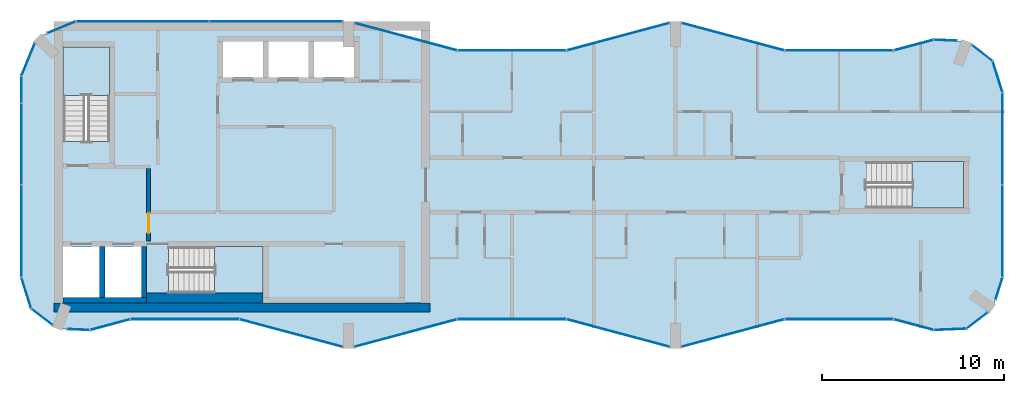
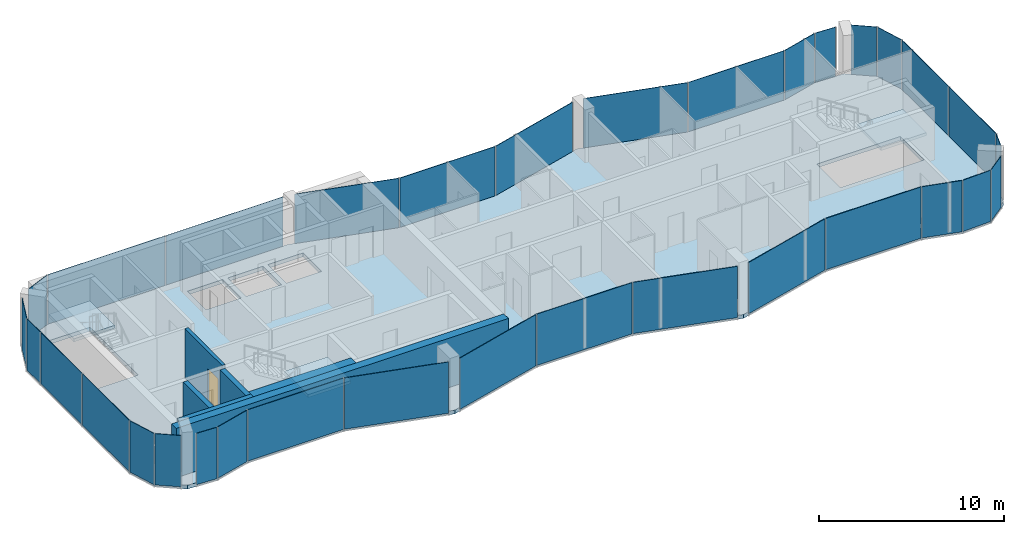
# One storey, part 6 of 10: 33 plates, 6 walls, 4 slabs, 1 door, 1 opening, 32 elements without a shape of their own.
"""IFC4 building model written with IfcOpenShell, lengths in metres."""

from ifc_helpers import new_model, si_unit, direction, frame, frame_2d, origin, origin_2d, place, context, subcontext, project, spatial, polyline, rectangle, outline, extrude, material, layer, layer_set, type_object, element, fill, aggregate, save


model = new_model("IFC4")

# Units and contexts
model_context = context("Model", 3, precision=1e-05, world=origin(), true_north=direction((0.0, 1.0)))
body_context = subcontext(model_context, "Body", "Model", "MODEL_VIEW")
ifc_project = project(units=[si_unit("LENGTHUNIT", "METRE"), si_unit("AREAUNIT", "SQUARE_METRE"), si_unit("VOLUMEUNIT", "CUBIC_METRE"), si_unit("PLANEANGLEUNIT", "RADIAN"), si_unit("MASSUNIT", "GRAM", prefix="KILO")], contexts=[model_context])

# Site, building, storey
site_placement = place(None, origin())
site = spatial("IfcSite", under=ifc_project, at=site_placement, CompositionType="ELEMENT")
building_placement = place(site_placement, origin())
building = spatial("IfcBuilding", under=site, at=building_placement, Name="Plateau Cross Towers", CompositionType="ELEMENT")
storey_placement = place(building_placement, frame((0.0, 0.0, 249.39990234375)))
storey = spatial("IfcBuildingStorey", under=building, at=storey_placement, Name="L65", CompositionType="ELEMENT", Elevation=249.39990234375)

# Curtain wall, plate
ifc_material_1 = material(Name="Dark low-iron glass", Category="glass")
ifc_layer_1 = layer(ifc_material_1, 0.239990234375)
ifc_layer_set_1 = layer_set([ifc_layer_1], Name="Dark low-iron glass")
curtain_wall_type_1 = type_object("IfcCurtainWallType", Name="Curtain wall flush unitised CW-B", PredefinedType="NOTDEFINED", material=ifc_layer_set_1)
curtain_wall_1_placement = place(storey_placement, origin())
curtain_wall_1 = element("IfcCurtainWall", 1, at=curtain_wall_1_placement, inside=storey, type_object=curtain_wall_type_1, Name="ENV/A/L65/A502_10", PredefinedType="NOTDEFINED")
ifc_layer_2 = layer(ifc_material_1, 0.031982421875)
ifc_layer_set_2 = layer_set([ifc_layer_2], Name="Dark low-iron glass")
plate_type_1 = type_object("IfcPlateType", Name="Glass panel 32 flush unitised", PredefinedType="CURTAIN_PANEL", material=ifc_layer_set_2)
plate_1_placement = place(storey_placement, frame((51.125, 1.05078125, -0.1298828125), z_axis=(0.0, 0.0, 1.0), x_axis=(0.999043701491, 0.043722791671, 0.0)))
plate_1 = element("IfcPlate", 2, at=plate_1_placement, type_object=plate_type_1, Name="CW-B panel 1", PredefinedType="CURTAIN_PANEL", context=body_context, shape_type="SweptSolid", body=[
    extrude(rectangle(XDim=1.744140625, YDim=0.031982421875, at=origin_2d()), origin(), (0.0, 0.0, 1.0), 3.3798828125),
])
aggregate(curtain_wall_1, [plate_1])

curtain_wall_2_placement = place(storey_placement, origin())
curtain_wall_2 = element("IfcCurtainWall", 3, at=curtain_wall_2_placement, inside=storey, type_object=curtain_wall_type_1, Name="ENV/A/L65/A520_11", PredefinedType="NOTDEFINED")
plate_2_placement = place(storey_placement, frame((52.60986328125, 1.5380859375, -0.1298828125), z_axis=(0.0, 0.0, 1.0), x_axis=(0.793315514529, 0.608810721331, 0.0)))
plate_2 = element("IfcPlate", 4, at=plate_2_placement, type_object=plate_type_1, Name="CW-B panel 1", PredefinedType="CURTAIN_PANEL", context=body_context, shape_type="SweptSolid", body=[
    extrude(rectangle(XDim=1.41162109375, YDim=0.031982421875, at=origin_2d()), origin(), (0.0, 0.0, 1.0), 3.3798828125),
])
aggregate(curtain_wall_2, [plate_2])

curtain_wall_3_placement = place(storey_placement, origin())
curtain_wall_3 = element("IfcCurtainWall", 5, at=curtain_wall_3_placement, inside=storey, type_object=curtain_wall_type_1, Name="ENV/A/L65/A536_27", PredefinedType="NOTDEFINED")
plate_3_placement = place(storey_placement, frame((53.805419921875, 3.292236328125, -0.1298828125), z_axis=(0.0, 0.0, 1.0), x_axis=(0.300686174994, 0.95372313811, 0.0)))
plate_3 = element("IfcPlate", 6, at=plate_3_placement, type_object=plate_type_1, Name="CW-B panel 1", PredefinedType="CURTAIN_PANEL", context=body_context, shape_type="SweptSolid", body=[
    extrude(rectangle(XDim=1.233642578125, YDim=0.031982421875, at=origin_2d()), origin(), (0.0, 0.0, 1.0), 3.3798828125),
])
aggregate(curtain_wall_3, [plate_3])

# Curtain wall, plates
curtain_wall_4_placement = place(storey_placement, origin())
curtain_wall_4 = element("IfcCurtainWall", 7, at=curtain_wall_4_placement, inside=storey, type_object=curtain_wall_type_1, Name="ENV/A/L65/A540_39", PredefinedType="NOTDEFINED")
plate_4_placement = place(storey_placement, frame((54.0, 6.45458984375, -0.1298828125), z_axis=(0.0, 0.0, 1.0), x_axis=(0.0, 1.0, 0.0)))
plate_4 = element("IfcPlate", 8, at=plate_4_placement, type_object=plate_type_1, Name="CW-B panel 1", PredefinedType="CURTAIN_PANEL", context=body_context, shape_type="SweptSolid", body=[
    extrude(rectangle(XDim=5.03076171875, YDim=0.031982421875, at=origin_2d()), origin(), (0.0, 0.0, 1.0), 3.3798828125),
])
plate_5_placement = place(storey_placement, frame((54.0, 11.54541015625, -0.1298828125), z_axis=(0.0, 0.0, 1.0), x_axis=(0.0, 1.0, 0.0)))
plate_5 = element("IfcPlate", 9, at=plate_5_placement, type_object=plate_type_1, Name="CW-B panel 2", PredefinedType="CURTAIN_PANEL", context=body_context, shape_type="SweptSolid", body=[
    extrude(rectangle(XDim=5.03076171875, YDim=0.031982421875, at=origin_2d()), origin(), (0.0, 0.0, 1.0), 3.3798828125),
])
aggregate(curtain_wall_4, [plate_4, plate_5])

# Curtain wall, plate
curtain_wall_5_placement = place(storey_placement, origin())
curtain_wall_5 = element("IfcCurtainWall", 10, at=curtain_wall_5_placement, inside=storey, type_object=curtain_wall_type_1, Name="ENV/A/L65/A540_141", PredefinedType="NOTDEFINED")
plate_6_placement = place(storey_placement, frame((53.728759765625, 14.951171875, -0.1298828125), z_axis=(0.0, 0.0, 1.0), x_axis=(-0.300686174994, 0.95372313811, 0.0)))
plate_6 = element("IfcPlate", 11, at=plate_6_placement, type_object=plate_type_1, Name="CW-B panel 1", PredefinedType="CURTAIN_PANEL", context=body_context, shape_type="SweptSolid", body=[
    extrude(rectangle(XDim=1.744140625, YDim=0.031982421875, at=origin_2d()), origin(), (0.0, 0.0, 1.0), 3.3798828125),
])
aggregate(curtain_wall_5, [plate_6])

curtain_wall_6_placement = place(storey_placement, origin())
curtain_wall_6 = element("IfcCurtainWall", 12, at=curtain_wall_6_placement, inside=storey, type_object=curtain_wall_type_1, Name="ENV/A/L65/A535_158", PredefinedType="NOTDEFINED")
plate_7_placement = place(storey_placement, frame((52.873779296875, 16.25927734375, -0.1298828125), z_axis=(0.0, 0.0, 1.0), x_axis=(-0.793315514529, 0.608810721331, 0.0)))
plate_7 = element("IfcPlate", 13, at=plate_7_placement, type_object=plate_type_1, Name="CW-B panel 1", PredefinedType="CURTAIN_PANEL", context=body_context, shape_type="SweptSolid", body=[
    extrude(rectangle(XDim=1.41162109375, YDim=0.031982421875, at=origin_2d()), origin(), (0.0, 0.0, 1.0), 3.3798828125),
])
aggregate(curtain_wall_6, [plate_7])

curtain_wall_7_placement = place(storey_placement, origin())
curtain_wall_7 = element("IfcCurtainWall", 14, at=curtain_wall_7_placement, inside=storey, type_object=curtain_wall_type_1, Name="ENV/A/L65/A515_169", PredefinedType="NOTDEFINED")
plate_8_placement = place(storey_placement, frame((50.8701171875, 16.96044921875, -0.1298828125), z_axis=(0.0, 0.0, 1.0), x_axis=(-0.999043701491, 0.043722791671, 0.0)))
plate_8 = element("IfcPlate", 15, at=plate_8_placement, type_object=plate_type_1, Name="CW-B panel 1", PredefinedType="CURTAIN_PANEL", context=body_context, shape_type="SweptSolid", body=[
    extrude(rectangle(XDim=1.233642578125, YDim=0.031982421875, at=origin_2d()), origin(), (0.0, 0.0, 1.0), 3.3798828125),
])
aggregate(curtain_wall_7, [plate_8])

# Curtain wall, plates
curtain_wall_8_placement = place(storey_placement, origin())
curtain_wall_8 = element("IfcCurtainWall", 16, at=curtain_wall_8_placement, inside=storey, type_object=curtain_wall_type_1, Name="ENV/A/L65/A177_180", PredefinedType="NOTDEFINED")
plate_9_placement = place(storey_placement, frame((14.02490234375, 18.0, -0.1298828125), z_axis=(0.0, 0.0, 1.0), x_axis=(-1.0, 0.0, 0.0)))
plate_9 = element("IfcPlate", 17, at=plate_9_placement, type_object=plate_type_1, Name="CW-B panel 1", PredefinedType="CURTAIN_PANEL", context=body_context, shape_type="SweptSolid", body=[
    extrude(rectangle(XDim=7.2900390625, YDim=0.031982421875, at=origin_2d()), origin(), (0.0, 0.0, 1.0), 3.3798828125),
])
plate_10_placement = place(storey_placement, frame((6.675048828125, 18.0, -0.1298828125), z_axis=(0.0, 0.0, 1.0), x_axis=(-1.0, 0.0, 0.0)))
plate_10 = element("IfcPlate", 18, at=plate_10_placement, type_object=plate_type_1, Name="CW-B panel 2", PredefinedType="CURTAIN_PANEL", context=body_context, shape_type="SweptSolid", body=[
    extrude(rectangle(XDim=7.2900390625, YDim=0.031982421875, at=origin_2d()), origin(), (0.0, 0.0, 1.0), 3.3798828125),
])
aggregate(curtain_wall_8, [plate_9, plate_10])

# Curtain wall, plate
curtain_wall_9_placement = place(storey_placement, origin())
curtain_wall_9 = element("IfcCurtainWall", 19, at=curtain_wall_9_placement, inside=storey, type_object=curtain_wall_type_1, Name="ENV/A/L65/A30_180", PredefinedType="NOTDEFINED")
plate_11_placement = place(storey_placement, frame((2.20166015625, 17.66943359375, -0.1298828125), z_axis=(0.0, 0.0, 1.0), x_axis=(-0.923879457699, -0.382683612978, 0.0)))
plate_11 = element("IfcPlate", 20, at=plate_11_placement, type_object=plate_type_1, Name="CW-B panel 1", PredefinedType="CURTAIN_PANEL", context=body_context, shape_type="SweptSolid", body=[
    extrude(rectangle(XDim=1.668212890625, YDim=0.031982421875, at=origin_2d()), origin(), (0.0, 0.0, 1.0), 3.3798828125),
])
aggregate(curtain_wall_9, [plate_11])

curtain_wall_10_placement = place(storey_placement, origin())
curtain_wall_10 = element("IfcCurtainWall", 21, at=curtain_wall_10_placement, inside=storey, type_object=curtain_wall_type_1, Name="ENV/A/L65/A7_168", PredefinedType="NOTDEFINED")
plate_12_placement = place(storey_placement, frame((0.3740234375, 15.90283203125, -0.1298828125), z_axis=(0.0, 0.0, 1.0), x_axis=(-0.382683612978, -0.923879457699, 0.0)))
plate_12 = element("IfcPlate", 22, at=plate_12_placement, type_object=plate_type_1, Name="CW-B panel 1", PredefinedType="CURTAIN_PANEL", context=body_context, shape_type="SweptSolid", body=[
    extrude(rectangle(XDim=1.894775390625, YDim=0.031982421875, at=origin_2d()), origin(), (0.0, 0.0, 1.0), 3.3798828125),
])
aggregate(curtain_wall_10, [plate_12])

# Curtain wall, plates
curtain_wall_11_placement = place(storey_placement, origin())
curtain_wall_11 = element("IfcCurtainWall", 23, at=curtain_wall_11_placement, inside=storey, type_object=curtain_wall_type_1, Name="ENV/A/L65/A0_150", PredefinedType="NOTDEFINED")
plate_13_placement = place(storey_placement, frame((0.0, 14.25, -0.1298828125), z_axis=(0.0, 0.0, 1.0), x_axis=(0.0, -1.0, 0.0)))
plate_13 = element("IfcPlate", 24, at=plate_13_placement, type_object=plate_type_1, Name="CW-B panel 1", PredefinedType="CURTAIN_PANEL", context=body_context, shape_type="SweptSolid", body=[
    extrude(rectangle(XDim=1.43994140625, YDim=0.031982421875, at=origin_2d()), origin(), (0.0, 0.0, 1.0), 3.3798828125),
])
plate_14_placement = place(storey_placement, frame((0.0, 11.25, -0.1298828125), z_axis=(0.0, 0.0, 1.0), x_axis=(0.0, -1.0, 0.0)))
plate_14 = element("IfcPlate", 25, at=plate_14_placement, type_object=plate_type_1, Name="CW-B panel 2", PredefinedType="CURTAIN_PANEL", context=body_context, shape_type="SweptSolid", body=[
    extrude(rectangle(XDim=4.43994140625, YDim=0.031982421875, at=origin_2d()), origin(), (0.0, 0.0, 1.0), 3.3798828125),
])
plate_15_placement = place(storey_placement, frame((0.0, 6.45458984375, -0.1298828125), z_axis=(0.0, 0.0, 1.0), x_axis=(0.0, -1.0, 0.0)))
plate_15 = element("IfcPlate", 26, at=plate_15_placement, type_object=plate_type_1, Name="CW-B panel 3", PredefinedType="CURTAIN_PANEL", context=body_context, shape_type="SweptSolid", body=[
    extrude(rectangle(XDim=5.03076171875, YDim=0.031982421875, at=origin_2d()), origin(), (0.0, 0.0, 1.0), 3.3798828125),
])
aggregate(curtain_wall_11, [plate_13, plate_14, plate_15])

# Curtain wall, plate
curtain_wall_12_placement = place(storey_placement, origin())
curtain_wall_12 = element("IfcCurtainWall", 27, at=curtain_wall_12_placement, inside=storey, type_object=curtain_wall_type_1, Name="ENV/A/L65/A0_39", PredefinedType="NOTDEFINED")
plate_16_placement = place(storey_placement, frame((0.271240234375, 3.048828125, -0.1298828125), z_axis=(0.0, 0.0, 1.0), x_axis=(0.300686174994, -0.95372313811, 0.0)))
plate_16 = element("IfcPlate", 28, at=plate_16_placement, type_object=plate_type_1, Name="CW-B panel 1", PredefinedType="CURTAIN_PANEL", context=body_context, shape_type="SweptSolid", body=[
    extrude(rectangle(XDim=1.744140625, YDim=0.031982421875, at=origin_2d()), origin(), (0.0, 0.0, 1.0), 3.3798828125),
])
aggregate(curtain_wall_12, [plate_16])

curtain_wall_13_placement = place(storey_placement, origin())
curtain_wall_13 = element("IfcCurtainWall", 29, at=curtain_wall_13_placement, inside=storey, type_object=curtain_wall_type_1, Name="ENV/A/L65/A5_22", PredefinedType="NOTDEFINED")
plate_17_placement = place(storey_placement, frame((1.126220703125, 1.74072265625, -0.1298828125), z_axis=(0.0, 0.0, 1.0), x_axis=(0.793315514529, -0.608810721331, 0.0)))
plate_17 = element("IfcPlate", 30, at=plate_17_placement, type_object=plate_type_1, Name="CW-B panel 1", PredefinedType="CURTAIN_PANEL", context=body_context, shape_type="SweptSolid", body=[
    extrude(rectangle(XDim=1.41162109375, YDim=0.031982421875, at=origin_2d()), origin(), (0.0, 0.0, 1.0), 3.3798828125),
])
aggregate(curtain_wall_13, [plate_17])

curtain_wall_14_placement = place(storey_placement, origin())
curtain_wall_14 = element("IfcCurtainWall", 31, at=curtain_wall_14_placement, inside=storey, type_object=curtain_wall_type_1, Name="ENV/A/L65/A25_11", PredefinedType="NOTDEFINED")
plate_18_placement = place(storey_placement, frame((3.1298828125, 1.03955078125, -0.1298828125), z_axis=(0.0, 0.0, 1.0), x_axis=(0.999043701491, -0.043722791671, 0.0)))
plate_18 = element("IfcPlate", 32, at=plate_18_placement, type_object=plate_type_1, Name="CW-B panel 1", PredefinedType="CURTAIN_PANEL", context=body_context, shape_type="SweptSolid", body=[
    extrude(rectangle(XDim=1.233642578125, YDim=0.031982421875, at=origin_2d()), origin(), (0.0, 0.0, 1.0), 3.3798828125),
])
aggregate(curtain_wall_14, [plate_18])

ifc_layer_3 = layer(ifc_material_1, 0.260009765625)
ifc_layer_set_3 = layer_set([ifc_layer_3], Name="Dark low-iron glass")
curtain_wall_type_2 = type_object("IfcCurtainWallType", Name="Curtain wall fluted unitised CW-A", PredefinedType="NOTDEFINED", material=ifc_layer_set_3)
curtain_wall_15_placement = place(storey_placement, origin())
curtain_wall_15 = element("IfcCurtainWall", 33, at=curtain_wall_15_placement, inside=storey, type_object=curtain_wall_type_2, Name="ENV/A/L65/A38_10", PredefinedType="NOTDEFINED")
ifc_layer_4 = layer(ifc_material_1, 0.035888671875)
ifc_layer_set_4 = layer_set([ifc_layer_4], Name="Dark low-iron glass")
plate_type_2 = type_object("IfcPlateType", Name="Glass panel 36 fluted unitised", PredefinedType="CURTAIN_PANEL", material=ifc_layer_set_4)
plate_19_placement = place(storey_placement, frame((4.887939453125, 1.30908203125, -0.1298828125), z_axis=(0.0, 0.0, 1.0), x_axis=(0.965957962328, 0.258699081978, 0.0)))
plate_19 = element("IfcPlate", 34, at=plate_19_placement, type_object=plate_type_2, Name="CW-A panel 1", PredefinedType="CURTAIN_PANEL", context=body_context, shape_type="SweptSolid", body=[
    extrude(rectangle(XDim=2.2421875, YDim=0.035888671875, at=origin_2d()), origin(), (0.0, 0.0, 1.0), 3.3798828125),
])
aggregate(curtain_wall_15, [plate_19])

curtain_wall_16_placement = place(storey_placement, origin())
curtain_wall_16 = element("IfcCurtainWall", 35, at=curtain_wall_16_placement, inside=storey, type_object=curtain_wall_type_2, Name="ENV/A/L65/A60_16", PredefinedType="NOTDEFINED")
plate_20_placement = place(storey_placement, frame((9.0, 1.60693359375, -0.1298828125), z_axis=(0.0, 0.0, 1.0), x_axis=(1.0, 0.0, 0.0)))
plate_20 = element("IfcPlate", 36, at=plate_20_placement, type_object=plate_type_2, Name="CW-A panel 1", PredefinedType="CURTAIN_PANEL", context=body_context, shape_type="SweptSolid", body=[
    extrude(rectangle(XDim=5.93994140625, YDim=0.035888671875, at=origin_2d()), origin(), (0.0, 0.0, 1.0), 3.3798828125),
])
aggregate(curtain_wall_16, [plate_20])

curtain_wall_17_placement = place(storey_placement, origin())
curtain_wall_17 = element("IfcCurtainWall", 37, at=curtain_wall_17_placement, inside=storey, type_object=curtain_wall_type_2, Name="ENV/A/L65/A120_16", PredefinedType="NOTDEFINED")
plate_21_placement = place(storey_placement, frame((14.841064453125, 0.845947265625, -0.1298828125), z_axis=(0.0, 0.0, 1.0), x_axis=(0.965957983404, -0.258699003279, 0.0)))
plate_21 = element("IfcPlate", 38, at=plate_21_placement, type_object=plate_type_2, Name="CW-A panel 1", PredefinedType="CURTAIN_PANEL", context=body_context, shape_type="SweptSolid", body=[
    extrude(rectangle(XDim=5.822265625, YDim=0.035888671875, at=origin_2d()), origin(), (0.0, 0.0, 1.0), 3.3798828125),
])
aggregate(curtain_wall_17, [plate_21])

curtain_wall_18_placement = place(storey_placement, origin())
curtain_wall_18 = element("IfcCurtainWall", 39, at=curtain_wall_18_placement, inside=storey, type_object=curtain_wall_type_2, Name="ENV/A/L65/A183_1", PredefinedType="NOTDEFINED")
plate_22_placement = place(storey_placement, frame((21.158935546875, 0.845947265625, -0.1298828125), z_axis=(0.0, 0.0, 1.0), x_axis=(0.965957983404, 0.258699003279, 0.0)))
plate_22 = element("IfcPlate", 40, at=plate_22_placement, type_object=plate_type_2, Name="CW-A panel 1", PredefinedType="CURTAIN_PANEL", context=body_context, shape_type="SweptSolid", body=[
    extrude(rectangle(XDim=5.822265625, YDim=0.035888671875, at=origin_2d()), origin(), (0.0, 0.0, 1.0), 3.3798828125),
])
aggregate(curtain_wall_18, [plate_22])

curtain_wall_19_placement = place(storey_placement, origin())
curtain_wall_19 = element("IfcCurtainWall", 41, at=curtain_wall_19_placement, inside=storey, type_object=curtain_wall_type_2, Name="ENV/A/L65/A240_16", PredefinedType="NOTDEFINED")
plate_23_placement = place(storey_placement, frame((27.0, 1.60693359375, -0.1298828125), z_axis=(0.0, 0.0, 1.0), x_axis=(1.0, 0.0, 0.0)))
plate_23 = element("IfcPlate", 42, at=plate_23_placement, type_object=plate_type_2, Name="CW-A panel 1", PredefinedType="CURTAIN_PANEL", context=body_context, shape_type="SweptSolid", body=[
    extrude(rectangle(XDim=5.93994140625, YDim=0.035888671875, at=origin_2d()), origin(), (0.0, 0.0, 1.0), 3.3798828125),
])
aggregate(curtain_wall_19, [plate_23])

curtain_wall_20_placement = place(storey_placement, origin())
curtain_wall_20 = element("IfcCurtainWall", 43, at=curtain_wall_20_placement, inside=storey, type_object=curtain_wall_type_2, Name="ENV/A/L65/A300_16", PredefinedType="NOTDEFINED")
plate_24_placement = place(storey_placement, frame((32.841064453125, 0.845947265625, -0.1298828125), z_axis=(0.0, 0.0, 1.0), x_axis=(0.965957983404, -0.258699003279, 0.0)))
plate_24 = element("IfcPlate", 44, at=plate_24_placement, type_object=plate_type_2, Name="CW-A panel 1", PredefinedType="CURTAIN_PANEL", context=body_context, shape_type="SweptSolid", body=[
    extrude(rectangle(XDim=5.822265625, YDim=0.035888671875, at=origin_2d()), origin(), (0.0, 0.0, 1.0), 3.3798828125),
])
aggregate(curtain_wall_20, [plate_24])

curtain_wall_21_placement = place(storey_placement, origin())
curtain_wall_21 = element("IfcCurtainWall", 45, at=curtain_wall_21_placement, inside=storey, type_object=curtain_wall_type_2, Name="ENV/A/L65/A363_1", PredefinedType="NOTDEFINED")
plate_25_placement = place(storey_placement, frame((39.158935546875, 0.845947265625, -0.1298828125), z_axis=(0.0, 0.0, 1.0), x_axis=(0.965957983404, 0.258699003279, 0.0)))
plate_25 = element("IfcPlate", 46, at=plate_25_placement, type_object=plate_type_2, Name="CW-A panel 1", PredefinedType="CURTAIN_PANEL", context=body_context, shape_type="SweptSolid", body=[
    extrude(rectangle(XDim=5.822265625, YDim=0.035888671875, at=origin_2d()), origin(), (0.0, 0.0, 1.0), 3.3798828125),
])
aggregate(curtain_wall_21, [plate_25])

curtain_wall_22_placement = place(storey_placement, origin())
curtain_wall_22 = element("IfcCurtainWall", 47, at=curtain_wall_22_placement, inside=storey, type_object=curtain_wall_type_2, Name="ENV/A/L65/A420_16", PredefinedType="NOTDEFINED")
plate_26_placement = place(storey_placement, frame((45.0, 1.60693359375, -0.1298828125), z_axis=(0.0, 0.0, 1.0), x_axis=(1.0, 0.0, 0.0)))
plate_26 = element("IfcPlate", 48, at=plate_26_placement, type_object=plate_type_2, Name="CW-A panel 1", PredefinedType="CURTAIN_PANEL", context=body_context, shape_type="SweptSolid", body=[
    extrude(rectangle(XDim=5.93994140625, YDim=0.035888671875, at=origin_2d()), origin(), (0.0, 0.0, 1.0), 3.3798828125),
])
aggregate(curtain_wall_22, [plate_26])

curtain_wall_23_placement = place(storey_placement, origin())
curtain_wall_23 = element("IfcCurtainWall", 49, at=curtain_wall_23_placement, inside=storey, type_object=curtain_wall_type_2, Name="ENV/A/L65/A480_16", PredefinedType="NOTDEFINED")
plate_27_placement = place(storey_placement, frame((49.112060546875, 1.30908203125, -0.1298828125), z_axis=(0.0, 0.0, 1.0), x_axis=(0.965957962328, -0.258699081978, 0.0)))
plate_27 = element("IfcPlate", 50, at=plate_27_placement, type_object=plate_type_2, Name="CW-A panel 1", PredefinedType="CURTAIN_PANEL", context=body_context, shape_type="SweptSolid", body=[
    extrude(rectangle(XDim=2.2421875, YDim=0.035888671875, at=origin_2d()), origin(), (0.0, 0.0, 1.0), 3.3798828125),
])
aggregate(curtain_wall_23, [plate_27])

curtain_wall_24_placement = place(storey_placement, origin())
curtain_wall_24 = element("IfcCurtainWall", 51, at=curtain_wall_24_placement, inside=storey, type_object=curtain_wall_type_2, Name="ENV/A/L65/A502_170", PredefinedType="NOTDEFINED")
plate_28_placement = place(storey_placement, frame((49.112060546875, 16.69091796875, -0.1298828125), z_axis=(0.0, 0.0, 1.0), x_axis=(-0.965957962328, -0.258699081978, 0.0)))
plate_28 = element("IfcPlate", 52, at=plate_28_placement, type_object=plate_type_2, Name="CW-A panel 1", PredefinedType="CURTAIN_PANEL", context=body_context, shape_type="SweptSolid", body=[
    extrude(rectangle(XDim=2.2421875, YDim=0.035888671875, at=origin_2d()), origin(), (0.0, 0.0, 1.0), 3.3798828125),
])
aggregate(curtain_wall_24, [plate_28])

curtain_wall_25_placement = place(storey_placement, origin())
curtain_wall_25 = element("IfcCurtainWall", 53, at=curtain_wall_25_placement, inside=storey, type_object=curtain_wall_type_2, Name="ENV/A/L65/A480_164", PredefinedType="NOTDEFINED")
plate_29_placement = place(storey_placement, frame((45.0, 16.39306640625, -0.1298828125), z_axis=(0.0, 0.0, 1.0), x_axis=(-1.0, 0.0, 0.0)))
plate_29 = element("IfcPlate", 54, at=plate_29_placement, type_object=plate_type_2, Name="CW-A panel 1", PredefinedType="CURTAIN_PANEL", context=body_context, shape_type="SweptSolid", body=[
    extrude(rectangle(XDim=5.93994140625, YDim=0.035888671875, at=origin_2d()), origin(), (0.0, 0.0, 1.0), 3.3798828125),
])
aggregate(curtain_wall_25, [plate_29])

curtain_wall_26_placement = place(storey_placement, origin())
curtain_wall_26 = element("IfcCurtainWall", 55, at=curtain_wall_26_placement, inside=storey, type_object=curtain_wall_type_2, Name="ENV/A/L65/A420_164", PredefinedType="NOTDEFINED")
plate_30_placement = place(storey_placement, frame((39.158935546875, 17.154052734375, -0.1298828125), z_axis=(0.0, 0.0, 1.0), x_axis=(-0.965957983404, 0.258699003279, 0.0)))
plate_30 = element("IfcPlate", 56, at=plate_30_placement, type_object=plate_type_2, Name="CW-A panel 1", PredefinedType="CURTAIN_PANEL", context=body_context, shape_type="SweptSolid", body=[
    extrude(rectangle(XDim=5.822265625, YDim=0.035888671875, at=origin_2d()), origin(), (0.0, 0.0, 1.0), 3.3798828125),
])
aggregate(curtain_wall_26, [plate_30])

curtain_wall_27_placement = place(storey_placement, origin())
curtain_wall_27 = element("IfcCurtainWall", 57, at=curtain_wall_27_placement, inside=storey, type_object=curtain_wall_type_2, Name="ENV/A/L65/A357_179", PredefinedType="NOTDEFINED")
plate_31_placement = place(storey_placement, frame((32.841064453125, 17.154052734375, -0.1298828125), z_axis=(0.0, 0.0, 1.0), x_axis=(-0.965957983404, -0.258699003279, 0.0)))
plate_31 = element("IfcPlate", 58, at=plate_31_placement, type_object=plate_type_2, Name="CW-A panel 1", PredefinedType="CURTAIN_PANEL", context=body_context, shape_type="SweptSolid", body=[
    extrude(rectangle(XDim=5.822265625, YDim=0.035888671875, at=origin_2d()), origin(), (0.0, 0.0, 1.0), 3.3798828125),
])
aggregate(curtain_wall_27, [plate_31])

curtain_wall_28_placement = place(storey_placement, origin())
curtain_wall_28 = element("IfcCurtainWall", 59, at=curtain_wall_28_placement, inside=storey, type_object=curtain_wall_type_2, Name="ENV/A/L65/A300_164", PredefinedType="NOTDEFINED")
plate_32_placement = place(storey_placement, frame((27.0, 16.39306640625, -0.1298828125), z_axis=(0.0, 0.0, 1.0), x_axis=(-1.0, 0.0, 0.0)))
plate_32 = element("IfcPlate", 60, at=plate_32_placement, type_object=plate_type_2, Name="CW-A panel 1", PredefinedType="CURTAIN_PANEL", context=body_context, shape_type="SweptSolid", body=[
    extrude(rectangle(XDim=5.93994140625, YDim=0.035888671875, at=origin_2d()), origin(), (0.0, 0.0, 1.0), 3.3798828125),
])
aggregate(curtain_wall_28, [plate_32])

curtain_wall_29_placement = place(storey_placement, origin())
curtain_wall_29 = element("IfcCurtainWall", 61, at=curtain_wall_29_placement, inside=storey, type_object=curtain_wall_type_2, Name="ENV/A/L65/A240_164", PredefinedType="NOTDEFINED")
plate_33_placement = place(storey_placement, frame((21.158935546875, 17.154052734375, -0.1298828125), z_axis=(0.0, 0.0, 1.0), x_axis=(-0.965957983404, 0.258699003279, 0.0)))
plate_33 = element("IfcPlate", 62, at=plate_33_placement, type_object=plate_type_2, Name="CW-A panel 1", PredefinedType="CURTAIN_PANEL", context=body_context, shape_type="SweptSolid", body=[
    extrude(rectangle(XDim=5.822265625, YDim=0.035888671875, at=origin_2d()), origin(), (0.0, 0.0, 1.0), 3.3798828125),
])
aggregate(curtain_wall_29, [plate_33])

# Slab
ifc_material_2 = material(Name="Concrete C40/50", Category="concrete")
ifc_layer_5 = layer(ifc_material_2, 0.25)
ifc_layer_set_5 = layer_set([ifc_layer_5], Name="Concrete C40/50")
slab_type_1 = type_object("IfcSlabType", Name="Post-tensioned flat plate slab 250", PredefinedType="FLOOR", material=ifc_layer_set_5)
slab_1_placement = place(storey_placement, frame((0.0, 0.0, -0.25)))
element("IfcSlab", 63, at=slab_1_placement, inside=storey, type_object=slab_type_1, Name="SL-A-L65", PredefinedType="FLOOR", context=body_context, shape_type="SweptSolid", body=[
    extrude(outline(polyline([(1.9736328125, 1.090087890625), (0.54248046875, 2.1884765625), (0.0, 3.9091796875), (0.0, 15.0), (0.878662109375, 17.121337890625), (3.0, 18.0), (18.0, 18.0), (24.0, 16.39306640625), (30.0, 16.39306640625), (36.0, 18.0), (42.0, 16.39306640625), (48.0, 16.39306640625), (50.223876953125, 16.98876953125), (52.0263671875, 16.909912109375), (53.45751953125, 15.8115234375), (54.0, 14.0908203125), (54.0, 3.9091796875), (53.45751953125, 2.1884765625), (52.0263671875, 1.090087890625), (50.223876953125, 1.01123046875), (48.0, 1.60693359375), (42.0, 1.60693359375), (36.0, 0.0), (30.0, 1.60693359375), (24.0, 1.60693359375), (18.0, 0.0), (12.0, 1.60693359375), (6.0, 1.60693359375), (3.776123046875, 1.01123046875), (1.9736328125, 1.090087890625)]), holes=[polyline([(4.300048828125, 5.60009765625), (2.300048828125, 5.60009765625), (2.300048828125, 2.800048828125), (4.300048828125, 2.800048828125), (4.300048828125, 5.60009765625)]), polyline([(6.60009765625, 5.60009765625), (4.60009765625, 5.60009765625), (4.60009765625, 2.800048828125), (6.60009765625, 2.800048828125), (6.60009765625, 5.60009765625)]), polyline([(13.300048828125, 5.60009765625), (8.10009765625, 5.60009765625), (8.10009765625, 3.050048828125), (13.300048828125, 3.050048828125), (13.300048828125, 5.60009765625)]), polyline([(51.699951171875, 10.27490234375), (46.5, 10.27490234375), (46.5, 7.72509765625), (51.699951171875, 7.72509765625), (51.699951171875, 10.27490234375)]), polyline([(2.300048828125, 16.60009765625), (2.300048828125, 11.39990234375), (4.85009765625, 11.39990234375), (4.85009765625, 16.60009765625), (2.300048828125, 16.60009765625)]), polyline([(13.300048828125, 16.89990234375), (11.10009765625, 16.89990234375), (11.10009765625, 14.89990234375), (13.300048828125, 14.89990234375), (13.300048828125, 16.89990234375)]), polyline([(15.800048828125, 16.89990234375), (13.60009765625, 16.89990234375), (13.60009765625, 14.89990234375), (15.800048828125, 14.89990234375), (15.800048828125, 16.89990234375)]), polyline([(18.300048828125, 16.89990234375), (16.10009765625, 16.89990234375), (16.10009765625, 14.89990234375), (18.300048828125, 14.89990234375), (18.300048828125, 16.89990234375)])]), origin(), (0.0, 0.0, 1.0), 0.25),
])

# Stair, slab
stair_type = type_object("IfcStairType", Name="ST-TWR", PredefinedType="HALF_TURN_STAIR", material=ifc_material_2)
stair_1_placement = place(storey_placement, origin())
stair_1 = element("IfcStair", 64, at=stair_1_placement, inside=storey, type_object=stair_type, Name="L65 Protected Exit Stair ST-1", PredefinedType="HALF_TURN_STAIR")
ifc_layer_6 = layer(ifc_material_2, 0.199951171875)
ifc_layer_set_6 = layer_set([ifc_layer_6], Name="Concrete C40/50")
slab_type_2 = type_object("IfcSlabType", Name="SL-LANDING", PredefinedType="LANDING", material=ifc_layer_set_6)
slab_2_placement = place(storey_placement, frame((0.0, 0.0, 1.550048828125)))
slab_2 = element("IfcSlab", 65, at=slab_2_placement, type_object=slab_type_2, Name="ST-1 landing 1", PredefinedType="LANDING", context=body_context, shape_type="SweptSolid", body=[
    extrude(outline(polyline([(4.85009765625, 13.919921875), (4.85009765625, 16.60009765625), (2.300048828125, 16.60009765625), (2.300048828125, 13.919921875), (4.85009765625, 13.919921875)])), origin(), (0.0, 0.0, 1.0), 0.199951171875),
])
aggregate(stair_1, [slab_2])

stair_2_placement = place(storey_placement, origin())
stair_2 = element("IfcStair", 66, at=stair_2_placement, inside=storey, type_object=stair_type, Name="L65 Protected Exit Stair ST-2", PredefinedType="HALF_TURN_STAIR")
slab_3_placement = place(storey_placement, frame((0.0, 0.0, 1.550048828125)))
slab_3 = element("IfcSlab", 67, at=slab_3_placement, type_object=slab_type_2, Name="ST-2 landing 1", PredefinedType="LANDING", context=body_context, shape_type="SweptSolid", body=[
    extrude(outline(polyline([(10.6201171875, 3.050048828125), (13.300048828125, 3.050048828125), (13.300048828125, 5.60009765625), (10.6201171875, 5.60009765625), (10.6201171875, 3.050048828125)])), origin(), (0.0, 0.0, 1.0), 0.199951171875),
])
aggregate(stair_2, [slab_3])

stair_3_placement = place(storey_placement, origin())
stair_3 = element("IfcStair", 68, at=stair_3_placement, inside=storey, type_object=stair_type, Name="L65 Protected Exit Stair E", PredefinedType="HALF_TURN_STAIR")
slab_4_placement = place(storey_placement, frame((0.0, 0.0, 1.550048828125)))
slab_4 = element("IfcSlab", 69, at=slab_4_placement, type_object=slab_type_2, Name="ES-E landing 1", PredefinedType="LANDING", context=body_context, shape_type="SweptSolid", body=[
    extrude(outline(polyline([(49.02001953125, 7.72509765625), (51.85009765625, 7.72509765625), (51.85009765625, 10.27490234375), (49.02001953125, 10.27490234375), (49.02001953125, 7.72509765625)])), origin(), (0.0, 0.0, 1.0), 0.199951171875),
])
aggregate(stair_3, [slab_4])

# Wall, opening, door
ifc_material_3 = material(Name="Concrete block, plastered both sides", Category="concrete")
ifc_layer_7 = layer(ifc_material_3, 0.199951171875)
ifc_layer_set_7 = layer_set([ifc_layer_7], Name="Concrete block, plastered both sides")
wall_type_1 = type_object("IfcWallType", Name="Core partition 200", PredefinedType="PARTITIONING", material=ifc_layer_set_7)
wall_1_placement = place(storey_placement, frame((7.0, 5.89990234375, 0.0), z_axis=(0.0, 0.0, 1.0), x_axis=(0.0, 1.0, 0.0)))
wall_1 = element("IfcWall", 70, at=wall_1_placement, inside=storey, type_object=wall_type_1, Name="Core partition", PredefinedType="PARTITIONING", context=body_context, shape_type="SweptSolid", body=[
    extrude(rectangle(XDim=4.0, YDim=0.199951171875, at=frame_2d((2.0, 0.0))), origin(), (0.0, 0.0, 1.0), 3.25),
])
opening_placement = place(wall_1_placement, frame((0.449951171875, 0.0, 0.0)))
opening = element("IfcOpeningElement", 71, at=opening_placement, cuts=wall_1, Name="Opening FFD", PredefinedType="OPENING", context=body_context, shape_type="SweptSolid", body=[
    extrude(rectangle(XDim=1.10009765625, YDim=2.10009765625, at=frame_2d((0.550048828125, 1.050048828125))), frame((0.0, 0.10986328125, 0.0), z_axis=(0.0, -1.0, 0.0), x_axis=(1.0, 0.0, 0.0)), (0.0, 0.0, 1.0), 0.219970703125),
])
ifc_material_4 = material(Name="Steel, fire-resisting leaf", Category="steel")
door_type = type_object("IfcDoorType", Name="Firefighting lobby door 1100", OperationType="NOTDEFINED", PredefinedType="DOOR", material=ifc_material_4)
door_placement = place(opening_placement, origin())
door = element("IfcDoor", 72, at=door_placement, inside=storey, type_object=door_type, Name="Firefighting lobby door FFD", OperationType="SINGLE_SWING_LEFT", OverallHeight=2.10009765625, OverallWidth=1.10009765625, PredefinedType="DOOR", context=body_context, shape_type="SweptSolid", body=[
    extrude(rectangle(XDim=1.10009765625, YDim=2.10009765625, at=frame_2d((0.550048828125, 1.050048828125))), frame((0.0, 0.02490234375, 0.0), z_axis=(0.0, -1.0, 0.0), x_axis=(1.0, 0.0, 0.0)), (0.0, 0.0, 1.0), 0.050048828125),
])
fill(opening, door)

# Walls
ifc_material_5 = material(Name="Concrete C60/75", Category="concrete")
ifc_layer_8 = layer(ifc_material_5, 0.300048828125)
ifc_layer_set_8 = layer_set([ifc_layer_8], Name="Concrete C60/75")
wall_type_2 = type_object("IfcWallType", Name="Core shaft wall 300", PredefinedType="SHEAR", material=ifc_layer_set_8)
wall_2_placement = place(storey_placement, frame((2.300048828125, 2.64990234375, 0.0), z_axis=(0.0, 0.0, 1.0), x_axis=(1.0, 0.0, 0.0)))
element("IfcWall", 73, at=wall_2_placement, inside=storey, type_object=wall_type_2, Name="A-sb-back1@L65", PredefinedType="SHEAR", context=body_context, shape_type="SweptSolid", body=[
    extrude(rectangle(XDim=4.599853515625, YDim=0.300048828125, at=frame_2d((2.2998046875, 0.0))), origin(), (0.0, 0.0, 1.0), 3.25),
])
for number, where, z_axis, x_axis, name in (
    (74, (4.449951171875, 2.800048828125, 0.0), (0.0, 0.0, 1.0), (0.0, 1.0, 0.0), "A-sb-v1@L65"),
    (75, (6.75, 2.800048828125, 0.0), (0.0, 0.0, 1.0), (0.0, 1.0, 0.0), "A-sb-v2@L65"),
):
    element("IfcWall", number, at=place(storey_placement, frame(where, z_axis=z_axis, x_axis=x_axis)), inside=storey, type_object=wall_type_2, Name=name, PredefinedType="SHEAR", context=body_context, shape_type="SweptSolid", body=[
        extrude(rectangle(XDim=2.800048828125, YDim=0.300048828125, at=frame_2d((1.39990234375, 0.0))), origin(), (0.0, 0.0, 1.0), 3.25),
    ])
ifc_layer_9 = layer(ifc_material_5, 0.550048828125)
ifc_layer_set_9 = layer_set([ifc_layer_9], Name="Concrete C60/75")
wall_type_3 = type_object("IfcWallType", Name="Core shaft wall 550", PredefinedType="SHEAR", material=ifc_layer_set_9)
wall_3_placement = place(storey_placement, frame((6.89990234375, 2.77490234375, 0.0), z_axis=(0.0, 0.0, 1.0), x_axis=(1.0, 0.0, 0.0)))
element("IfcWall", 76, at=wall_3_placement, inside=storey, type_object=wall_type_3, Name="A-sb-back2@L65", PredefinedType="SHEAR", context=body_context, shape_type="SweptSolid", body=[
    extrude(rectangle(XDim=6.400146484375, YDim=0.550048828125, at=frame_2d((3.2001953125, 0.0))), origin(), (0.0, 0.0, 1.0), 3.25),
])
ifc_layer_10 = layer(ifc_material_5, 0.5)
ifc_layer_set_10 = layer_set([ifc_layer_10], Name="Concrete C60/75")
wall_type_4 = type_object("IfcWallType", Name="Core shell wall 500", PredefinedType="SHEAR", material=ifc_layer_set_10)
wall_4_placement = place(storey_placement, frame((1.800048828125, 2.25, 0.0), z_axis=(0.0, 0.0, 1.0), x_axis=(1.0, 0.0, 0.0)))
element("IfcWall", 77, at=wall_4_placement, inside=storey, type_object=wall_type_4, Name="A-core-S@L65", PredefinedType="SHEAR", context=body_context, shape_type="SweptSolid", body=[
    extrude(rectangle(XDim=20.699951171875, YDim=0.5, at=frame_2d((10.35009765625, 0.0))), origin(), (0.0, 0.0, 1.0), 3.25),
])

save(model, "model.ifc")
